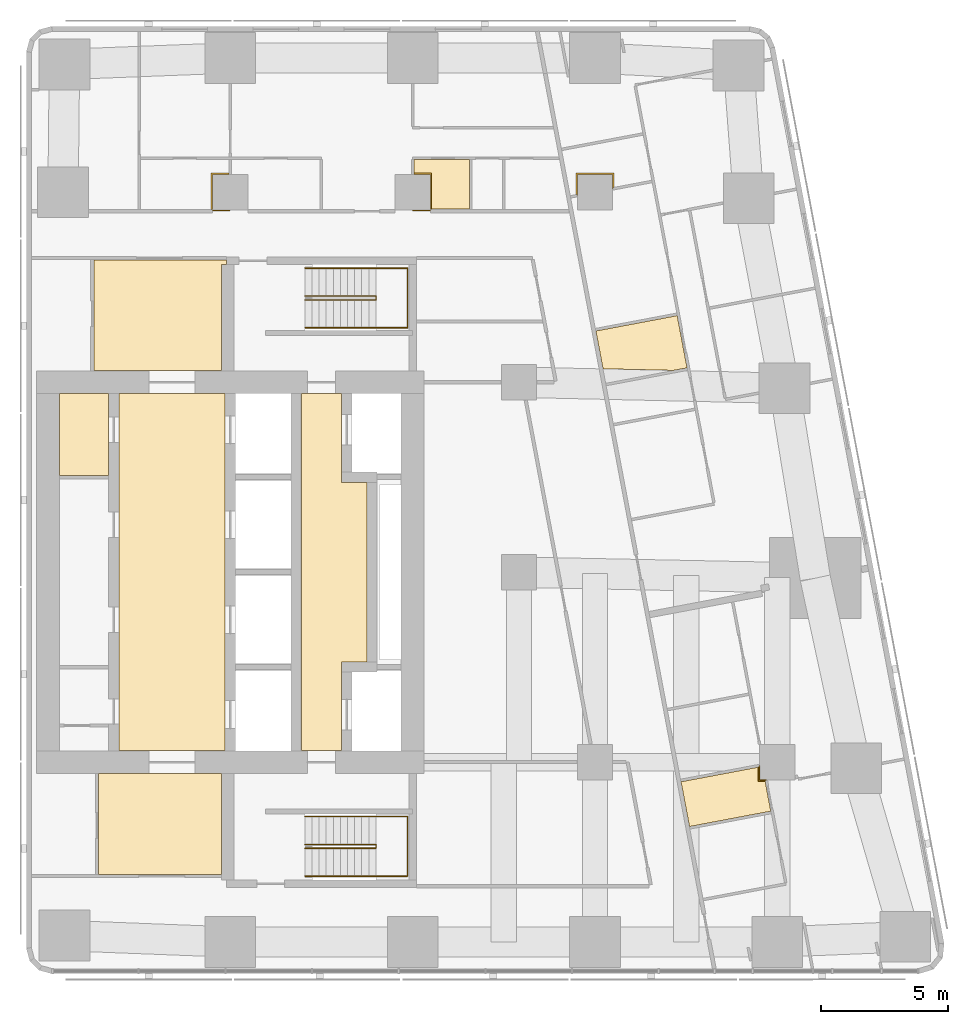
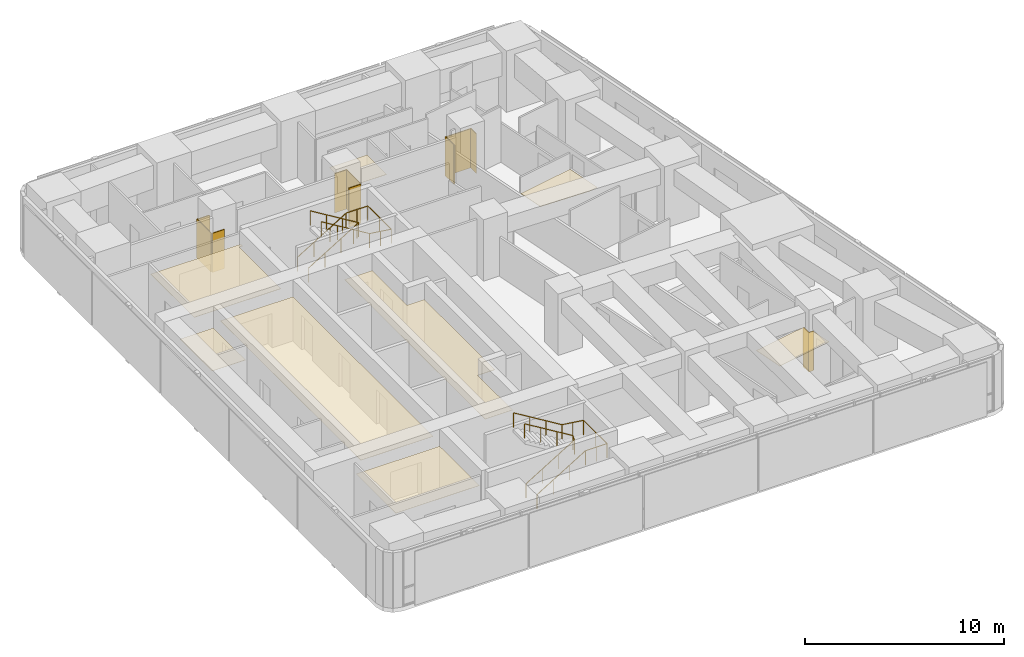
# One storey, part 10 of 10: 12 coverings, 4 railings.
"""IFC4 building model written with IfcOpenShell, lengths in metres."""

import ifcopenshell
import ifcopenshell.guid

model = None  # the IFC model being written
_history = None  # IfcOwnerHistory: only IFC2X3 demands one
_inside = {}  # id of a spatial element -> (the spatial element, [elements in it])
_under = {}  # id of a project, library or spatial element -> (it, [spatial elements below it])
_declared = {}  # id of a project -> (the project, [libraries it declares])
_typed = {}  # id of a type object -> (the type object, [elements of that type])
_made_of = {}  # id of a material, layer set ... -> (it, [elements and type objects made of it])


def new_model(schema):
    """Start an empty IFC model of exactly this schema.

    Asked for "IFC4X3", IfcOpenShell would pick the latest addendum, in which some entities
    have other attributes; the version numbers below select the first issue.
    IFC2X3 requires an IfcOwnerHistory on every rooted entity: one is made here for all.
    """
    global model, _history
    if schema == "IFC4X3":
        model = ifcopenshell.file(schema_version=(4, 3, 0, 0))
    else:
        model = ifcopenshell.file(schema=schema)
    _inside.clear()
    _under.clear()
    _declared.clear()
    _typed.clear()
    _made_of.clear()
    _history = None
    if model.schema == "IFC2X3":
        org = make("IfcOrganization", Name="unknown")
        user = make(
            "IfcPersonAndOrganization",
            ThePerson=make("IfcPerson", FamilyName="unknown"),
            TheOrganization=org,
        )
        app = make(
            "IfcApplication",
            ApplicationDeveloper=org,
            Version="unknown",
            ApplicationFullName="unknown",
            ApplicationIdentifier="unknown",
        )
        _history = make(
            "IfcOwnerHistory",
            OwningUser=user,
            OwningApplication=app,
            ChangeAction="ADDED",
            CreationDate=0,
        )
    return model


def make(cls, **values):
    """One entity of the class cls with the attributes given. An attribute that is None is left unset."""
    return model.create_entity(
        cls, **{name: value for name, value in values.items() if value is not None}
    )


def rooted(cls, **values):
    """An entity with a GlobalId (a new one), such as an element, a storey or a relation."""
    return make(cls, GlobalId=ifcopenshell.guid.new(), OwnerHistory=_history, **values)


def si_unit(unit_type, name, prefix=None):
    """IfcSIUnit, for example si_unit("LENGTHUNIT", "METRE", prefix="MILLI")."""
    return make("IfcSIUnit", UnitType=unit_type, Prefix=prefix, Name=name)


def assignment(units):
    """IfcUnitAssignment: the units of a project."""
    return None if units is None else make("IfcUnitAssignment", Units=units)


def point(xyz):
    """IfcCartesianPoint."""
    return None if xyz is None else make("IfcCartesianPoint", Coordinates=xyz)


def direction(xyz):
    """IfcDirection."""
    return None if xyz is None else make("IfcDirection", DirectionRatios=xyz)


def frame(location, z_axis=None, x_axis=None):
    """IfcAxis2Placement3D, a coordinate frame: its origin and axes. An axis left out is left unset."""
    return make(
        "IfcAxis2Placement3D",
        Location=point(location),
        Axis=direction(z_axis),
        RefDirection=direction(x_axis),
    )


def frame_2d(location, x_axis=None):
    """IfcAxis2Placement2D, a coordinate frame in the plane: its origin and x axis."""
    return make(
        "IfcAxis2Placement2D", Location=point(location), RefDirection=direction(x_axis)
    )


def origin():
    """The frame at (0, 0, 0) with its axes left unset."""
    return frame((0.0, 0.0, 0.0))


def origin_2d():
    """The frame at (0, 0) in the plane with its x axis left unset."""
    return frame_2d((0.0, 0.0))


def place(relative_to, where):
    """IfcLocalPlacement: puts the frame where relative to a parent placement (None: the world)."""
    return make(
        "IfcLocalPlacement", PlacementRelTo=relative_to, RelativePlacement=where
    )


def context(
    kind, dimensions, precision=None, world=None, true_north=None, identifier=None
):
    """IfcGeometricRepresentationContext, for example the 3D "Model" context."""
    return make(
        "IfcGeometricRepresentationContext",
        ContextIdentifier=identifier,
        ContextType=kind,
        CoordinateSpaceDimension=dimensions,
        Precision=precision,
        WorldCoordinateSystem=world,
        TrueNorth=true_north,
    )


def subcontext(parent, identifier, kind, view, scale=None):
    """IfcGeometricRepresentationSubContext, for example "Body" below "Model"."""
    return make(
        "IfcGeometricRepresentationSubContext",
        ContextIdentifier=identifier,
        ContextType=kind,
        ParentContext=parent,
        TargetScale=scale,
        TargetView=view,
    )


def project(units=None, contexts=None):
    """IfcProject with its units and contexts."""
    return rooted(
        "IfcProject",
        Name="project",
        RepresentationContexts=contexts,
        UnitsInContext=assignment(units),
    )


def spatial(cls, under=None, at=None, **own):
    """A site, building, storey or space (cls), placed at a placement, below another one or the project."""
    s = rooted(cls, ObjectPlacement=at, **own)
    if under is not None:
        _under.setdefault(under.id(), (under, []))[1].append(s)
    return s


def polyline(points):
    """IfcPolyline through the points."""
    return make("IfcPolyline", Points=[point(p) for p in points])


def profile(cls, at=None, kind="AREA", **sizes):
    """A parametric profile (cls). Its sizes go by their IFC names, for example OverallWidth=200.0."""
    return make(cls, ProfileType=kind, Position=at, **sizes)


def circle(**sizes):
    """IfcCircleProfileDef."""
    return profile("IfcCircleProfileDef", **sizes)


def outline(outer, holes=None, kind="AREA"):
    """IfcArbitraryClosedProfileDef: a profile drawn as a closed curve; with holes, ...WithVoids."""
    if holes is None:
        return make("IfcArbitraryClosedProfileDef", ProfileType=kind, OuterCurve=outer)
    return make(
        "IfcArbitraryProfileDefWithVoids",
        ProfileType=kind,
        OuterCurve=outer,
        InnerCurves=holes,
    )


def extrude(swept, where, along, depth):
    """IfcExtrudedAreaSolid: the profile swept, set in the frame where, extruded along a direction by depth."""
    return make(
        "IfcExtrudedAreaSolid",
        SweptArea=swept,
        Position=where,
        ExtrudedDirection=direction(along),
        Depth=depth,
    )


def shape(context_of_items, identifier, shape_type, items):
    """IfcShapeRepresentation: the items that make up one representation, for example the "Body"."""
    return make(
        "IfcShapeRepresentation",
        ContextOfItems=context_of_items,
        RepresentationIdentifier=identifier,
        RepresentationType=shape_type,
        Items=items,
    )


def material(Name=None, Category=None):
    """IfcMaterial."""
    return make("IfcMaterial", Name=Name, Category=Category)


def layer(
    of_material, thickness, ventilated=None, Name=None, Category=None, Priority=None
):
    """IfcMaterialLayer: one layer of a wall or slab, of a material (None: an air gap)."""
    return make(
        "IfcMaterialLayer",
        Material=of_material,
        LayerThickness=thickness,
        IsVentilated=ventilated,
        Name=Name,
        Category=Category,
        Priority=Priority,
    )


def layer_set(layers, Name=None):
    """IfcMaterialLayerSet."""
    return make("IfcMaterialLayerSet", MaterialLayers=layers, LayerSetName=Name)


def made_of(thing, what):
    """Note that an element or type object is made of a material, layer set ...; save() writes the relation."""
    if what is not None:
        _made_of.setdefault(what.id(), (what, []))[1].append(thing)
    return thing


def type_object(cls, material=None, **own):
    """A type object (cls), such as IfcWallType, which elements share."""
    return made_of(rooted(cls, **own), material)


def element(
    cls,
    number,
    at=None,
    inside=None,
    cuts=None,
    type_object=None,
    material=None,
    context=None,
    identifier="Body",
    shape_type=None,
    held_by="IfcProductDefinitionShape",
    body=None,
    shapes=None,
    **own,
):
    """One element of the class cls, such as IfcWall. Its Tag is "e" and its number.

    at: its placement. inside: the storey or other place that contains it. cuts: it is an
    opening in that element (IfcRelVoidsElement). A single representation is given by context,
    identifier, shape_type and body (its items); several are given by shapes. held_by: the class
    of the entity that holds the representations. save() writes the other relations.
    """
    e = rooted(cls, Tag="e%d" % number, ObjectPlacement=at, **own)
    if body is not None:
        shapes = [shape(context, identifier, shape_type, body)]
    if shapes is not None:
        e.Representation = make(held_by, Representations=shapes)
    if inside is not None:
        _inside.setdefault(inside.id(), (inside, []))[1].append(e)
    if cuts is not None:
        rooted(
            "IfcRelVoidsElement", RelatingBuildingElement=cuts, RelatedOpeningElement=e
        )
    if type_object is not None:
        _typed.setdefault(type_object.id(), (type_object, []))[1].append(e)
    return made_of(e, material)


def aggregate(whole, parts):
    """IfcRelAggregates: a whole, such as a stair, and the parts it consists of."""
    return rooted("IfcRelAggregates", RelatingObject=whole, RelatedObjects=parts)


def save(model, path):
    """Write the relations noted so far, then the file.

    IfcRelAggregates (storeys below a building ...), IfcRelContainedInSpatialStructure (elements
    in a storey), IfcRelDefinesByType, IfcRelAssociatesMaterial and IfcRelDeclares: one each for
    every whole, place, type object, material and project.
    """
    for whole, parts in _under.values():
        aggregate(whole, parts)
    for where, things in _inside.values():
        rooted(
            "IfcRelContainedInSpatialStructure",
            RelatedElements=things,
            RelatingStructure=where,
        )
    for kind, things in _typed.values():
        rooted("IfcRelDefinesByType", RelatedObjects=things, RelatingType=kind)
    for what, things in _made_of.values():
        rooted("IfcRelAssociatesMaterial", RelatedObjects=things, RelatingMaterial=what)
    for by, libraries in _declared.values():
        rooted("IfcRelDeclares", RelatingContext=by, RelatedDefinitions=libraries)
    model.write(path)


model = new_model("IFC4")

# Units and contexts
model_context = context("Model", 3, precision=1e-05, world=origin(), true_north=direction((0.0, 1.0)))
body_context = subcontext(model_context, "Body", "Model", "MODEL_VIEW")
ifc_project = project(units=[si_unit("LENGTHUNIT", "METRE"), si_unit("AREAUNIT", "SQUARE_METRE"), si_unit("VOLUMEUNIT", "CUBIC_METRE"), si_unit("PLANEANGLEUNIT", "RADIAN"), si_unit("MASSUNIT", "GRAM", prefix="KILO")], contexts=[model_context])

# Site, building, storey
site_placement = place(None, origin())
site = spatial("IfcSite", under=ifc_project, at=site_placement, CompositionType="ELEMENT")
building_placement = place(site_placement, origin())
building = spatial("IfcBuilding", under=site, at=building_placement, Name="Sheger Commons Tower", CompositionType="ELEMENT")
storey_placement = place(building_placement, frame((0.0, 0.0, 292.85009765625)))
storey = spatial("IfcBuildingStorey", under=building, at=storey_placement, Name="L75", CompositionType="ELEMENT", Elevation=292.85009765625)

# Railings
ifc_material_1 = material(Name="Steel handrail, black powder-coated", Category="steel")
railing_type = type_object("IfcRailingType", Name="HANDRAIL 900", PredefinedType="HANDRAIL", material=ifc_material_1)
railing_1_placement = place(storey_placement, frame((24.550048828125, 11.60009765625, 0.17041015625)))
element("IfcRailing", 1, at=railing_1_placement, inside=storey, type_object=railing_type, Name="Stair S1 handrail L75", PredefinedType="HANDRAIL", context=body_context, shape_type="SweptSolid", body=[
    extrude(circle(Radius=0.02392578125, at=origin_2d()), frame((0.0, 0.0, 0.8759765625), z_axis=(0.854169791009, 0.0, 0.51999420009), x_axis=(0.0, 1.0, 0.0)), (0.0, 0.0, 1.0), 3.278076171875),
    extrude(circle(Radius=0.02392578125, at=origin_2d()), frame((2.800048828125, 0.0, 2.58056640625), z_axis=(0.0, 0.660482385973, 0.750841539754), x_axis=(-1.0, 0.0, 0.0)), (0.0, 0.0, 1.0), 0.22705078125),
    extrude(circle(Radius=0.02392578125, at=origin_2d()), frame((2.800048828125, 0.14990234375, 2.7509765625), z_axis=(-0.854169791009, 0.0, 0.51999420009), x_axis=(0.0, -1.0, 0.0)), (0.0, 0.0, 1.0), 3.278076171875),
    extrude(circle(Radius=0.02099609375, at=origin_2d()), origin(), (0.0, 0.0, 1.0), 0.851806640625),
    extrude(circle(Radius=0.02099609375, at=origin_2d()), frame((0.933349609375, 0.0, 0.568115234375)), (0.0, 0.0, 1.0), 0.851806640625),
    extrude(circle(Radius=0.02099609375, at=origin_2d()), frame((1.86669921875, 0.0, 1.136474609375)), (0.0, 0.0, 1.0), 0.851806640625),
    extrude(circle(Radius=0.02099609375, at=origin_2d()), frame((2.800048828125, 0.0, 1.70458984375)), (0.0, 0.0, 1.0), 0.851806640625),
    extrude(circle(Radius=0.02099609375, at=origin_2d()), frame((2.800048828125, 0.14990234375, 1.875)), (0.0, 0.0, 1.0), 0.851806640625),
    extrude(circle(Radius=0.02099609375, at=origin_2d()), frame((1.86669921875, 0.14990234375, 2.443115234375)), (0.0, 0.0, 1.0), 0.851806640625),
    extrude(circle(Radius=0.02099609375, at=origin_2d()), frame((0.933349609375, 0.14990234375, 3.011474609375)), (0.0, 0.0, 1.0), 0.851806640625),
    extrude(circle(Radius=0.02099609375, at=origin_2d()), frame((0.0, 0.14990234375, 3.57958984375)), (0.0, 0.0, 1.0), 0.851806640625),
])
railing_2_placement = place(storey_placement, frame((24.550048828125, 10.5, 0.17041015625)))
element("IfcRailing", 2, at=railing_2_placement, inside=storey, type_object=railing_type, Name="Stair S1 handrail L75", PredefinedType="HANDRAIL", context=body_context, shape_type="SweptSolid", body=[
    extrude(circle(Radius=0.02392578125, at=origin_2d()), frame((0.0, 0.0, 0.8759765625), z_axis=(0.854169791009, 0.0, 0.51999420009), x_axis=(0.0, 1.0, 0.0)), (0.0, 0.0, 1.0), 3.278076171875),
    extrude(circle(Radius=0.02392578125, at=origin_2d()), frame((2.800048828125, 0.0, 2.58056640625), z_axis=(1.0, 0.0, 0.0), x_axis=(0.0, 1.0, 0.0)), (0.0, 0.0, 1.0), 1.25),
    extrude(circle(Radius=0.02392578125, at=origin_2d()), frame((4.050048828125, 0.0, 2.58056640625), z_axis=(0.0, 1.0, 0.0), x_axis=(-1.0, 0.0, 0.0)), (0.0, 0.0, 1.0), 2.35009765625),
    extrude(circle(Radius=0.02392578125, at=origin_2d()), frame((4.050048828125, 2.35009765625, 2.58056640625), z_axis=(-0.990834877927, 0.0, 0.135078661092), x_axis=(0.0, -1.0, 0.0)), (0.0, 0.0, 1.0), 1.261474609375),
    extrude(circle(Radius=0.02392578125, at=origin_2d()), frame((2.800048828125, 2.35009765625, 2.7509765625), z_axis=(-0.854169791009, 0.0, 0.51999420009), x_axis=(0.0, -1.0, 0.0)), (0.0, 0.0, 1.0), 3.278076171875),
    extrude(circle(Radius=0.02099609375, at=origin_2d()), origin(), (0.0, 0.0, 1.0), 0.851806640625),
    extrude(circle(Radius=0.02099609375, at=origin_2d()), frame((0.933349609375, 0.0, 0.568115234375)), (0.0, 0.0, 1.0), 0.851806640625),
    extrude(circle(Radius=0.02099609375, at=origin_2d()), frame((1.86669921875, 0.0, 1.136474609375)), (0.0, 0.0, 1.0), 0.851806640625),
    extrude(circle(Radius=0.02099609375, at=origin_2d()), frame((2.800048828125, 0.0, 1.70458984375)), (0.0, 0.0, 1.0), 0.851806640625),
    extrude(circle(Radius=0.02099609375, at=origin_2d()), frame((3.425048828125, 0.0, 1.70458984375)), (0.0, 0.0, 1.0), 0.851806640625),
    extrude(circle(Radius=0.02099609375, at=origin_2d()), frame((4.050048828125, 0.0, 1.70458984375)), (0.0, 0.0, 1.0), 0.851806640625),
    extrude(circle(Radius=0.02099609375, at=origin_2d()), frame((4.050048828125, 1.175048828125, 1.70458984375)), (0.0, 0.0, 1.0), 0.851806640625),
    extrude(circle(Radius=0.02099609375, at=origin_2d()), frame((4.050048828125, 2.35009765625, 1.70458984375)), (0.0, 0.0, 1.0), 0.851806640625),
    extrude(circle(Radius=0.02099609375, at=origin_2d()), frame((3.425048828125, 2.35009765625, 1.789794921875)), (0.0, 0.0, 1.0), 0.851806640625),
    extrude(circle(Radius=0.02099609375, at=origin_2d()), frame((2.800048828125, 2.35009765625, 1.875)), (0.0, 0.0, 1.0), 0.851806640625),
    extrude(circle(Radius=0.02099609375, at=origin_2d()), frame((1.86669921875, 2.35009765625, 2.443115234375)), (0.0, 0.0, 1.0), 0.851806640625),
    extrude(circle(Radius=0.02099609375, at=origin_2d()), frame((0.933349609375, 2.35009765625, 3.011474609375)), (0.0, 0.0, 1.0), 0.851806640625),
    extrude(circle(Radius=0.02099609375, at=origin_2d()), frame((0.0, 2.35009765625, 3.57958984375)), (0.0, 0.0, 1.0), 0.851806640625),
])
railing_3_placement = place(storey_placement, frame((24.550048828125, 33.39990234375, 0.17041015625)))
element("IfcRailing", 3, at=railing_3_placement, inside=storey, type_object=railing_type, Name="Stair S2 handrail L75", PredefinedType="HANDRAIL", context=body_context, shape_type="SweptSolid", body=[
    extrude(circle(Radius=0.02392578125, at=origin_2d()), frame((0.0, 0.0, 0.8759765625), z_axis=(0.854169791009, 0.0, 0.51999420009), x_axis=(0.0, 1.0, 0.0)), (0.0, 0.0, 1.0), 3.278076171875),
    extrude(circle(Radius=0.02392578125, at=origin_2d()), frame((2.800048828125, 0.0, 2.58056640625), z_axis=(0.0, -0.660482385973, 0.750841539754), x_axis=(1.0, 0.0, 0.0)), (0.0, 0.0, 1.0), 0.22705078125),
    extrude(circle(Radius=0.02392578125, at=origin_2d()), frame((2.800048828125, -0.14990234375, 2.7509765625), z_axis=(-0.854169791009, 0.0, 0.51999420009), x_axis=(0.0, -1.0, 0.0)), (0.0, 0.0, 1.0), 3.278076171875),
    extrude(circle(Radius=0.02099609375, at=origin_2d()), origin(), (0.0, 0.0, 1.0), 0.851806640625),
    extrude(circle(Radius=0.02099609375, at=origin_2d()), frame((0.933349609375, 0.0, 0.568115234375)), (0.0, 0.0, 1.0), 0.851806640625),
    extrude(circle(Radius=0.02099609375, at=origin_2d()), frame((1.86669921875, 0.0, 1.136474609375)), (0.0, 0.0, 1.0), 0.851806640625),
    extrude(circle(Radius=0.02099609375, at=origin_2d()), frame((2.800048828125, 0.0, 1.70458984375)), (0.0, 0.0, 1.0), 0.851806640625),
    extrude(circle(Radius=0.02099609375, at=origin_2d()), frame((2.800048828125, -0.14990234375, 1.875)), (0.0, 0.0, 1.0), 0.851806640625),
    extrude(circle(Radius=0.02099609375, at=origin_2d()), frame((1.86669921875, -0.14990234375, 2.443115234375)), (0.0, 0.0, 1.0), 0.851806640625),
    extrude(circle(Radius=0.02099609375, at=origin_2d()), frame((0.933349609375, -0.14990234375, 3.011474609375)), (0.0, 0.0, 1.0), 0.851806640625),
    extrude(circle(Radius=0.02099609375, at=origin_2d()), frame((0.0, -0.14990234375, 3.57958984375)), (0.0, 0.0, 1.0), 0.851806640625),
])
railing_4_placement = place(storey_placement, frame((24.550048828125, 34.5, 0.17041015625)))
element("IfcRailing", 4, at=railing_4_placement, inside=storey, type_object=railing_type, Name="Stair S2 handrail L75", PredefinedType="HANDRAIL", context=body_context, shape_type="SweptSolid", body=[
    extrude(circle(Radius=0.02392578125, at=origin_2d()), frame((0.0, 0.0, 0.8759765625), z_axis=(0.854169791009, 0.0, 0.51999420009), x_axis=(0.0, 1.0, 0.0)), (0.0, 0.0, 1.0), 3.278076171875),
    extrude(circle(Radius=0.02392578125, at=origin_2d()), frame((2.800048828125, 0.0, 2.58056640625), z_axis=(1.0, 0.0, 0.0), x_axis=(0.0, 1.0, 0.0)), (0.0, 0.0, 1.0), 1.25),
    extrude(circle(Radius=0.02392578125, at=origin_2d()), frame((4.050048828125, 0.0, 2.58056640625), z_axis=(0.0, -1.0, 0.0), x_axis=(1.0, 0.0, 0.0)), (0.0, 0.0, 1.0), 2.35009765625),
    extrude(circle(Radius=0.02392578125, at=origin_2d()), frame((4.050048828125, -2.35009765625, 2.58056640625), z_axis=(-0.990834877927, 0.0, 0.135078661092), x_axis=(0.0, -1.0, 0.0)), (0.0, 0.0, 1.0), 1.261474609375),
    extrude(circle(Radius=0.02392578125, at=origin_2d()), frame((2.800048828125, -2.35009765625, 2.7509765625), z_axis=(-0.854169791009, 0.0, 0.51999420009), x_axis=(0.0, -1.0, 0.0)), (0.0, 0.0, 1.0), 3.278076171875),
    extrude(circle(Radius=0.02099609375, at=origin_2d()), origin(), (0.0, 0.0, 1.0), 0.851806640625),
    extrude(circle(Radius=0.02099609375, at=origin_2d()), frame((0.933349609375, 0.0, 0.568115234375)), (0.0, 0.0, 1.0), 0.851806640625),
    extrude(circle(Radius=0.02099609375, at=origin_2d()), frame((1.86669921875, 0.0, 1.136474609375)), (0.0, 0.0, 1.0), 0.851806640625),
    extrude(circle(Radius=0.02099609375, at=origin_2d()), frame((2.800048828125, 0.0, 1.70458984375)), (0.0, 0.0, 1.0), 0.851806640625),
    extrude(circle(Radius=0.02099609375, at=origin_2d()), frame((3.425048828125, 0.0, 1.70458984375)), (0.0, 0.0, 1.0), 0.851806640625),
    extrude(circle(Radius=0.02099609375, at=origin_2d()), frame((4.050048828125, 0.0, 1.70458984375)), (0.0, 0.0, 1.0), 0.851806640625),
    extrude(circle(Radius=0.02099609375, at=origin_2d()), frame((4.050048828125, -1.175048828125, 1.70458984375)), (0.0, 0.0, 1.0), 0.851806640625),
    extrude(circle(Radius=0.02099609375, at=origin_2d()), frame((4.050048828125, -2.35009765625, 1.70458984375)), (0.0, 0.0, 1.0), 0.851806640625),
    extrude(circle(Radius=0.02099609375, at=origin_2d()), frame((3.425048828125, -2.35009765625, 1.789794921875)), (0.0, 0.0, 1.0), 0.851806640625),
    extrude(circle(Radius=0.02099609375, at=origin_2d()), frame((2.800048828125, -2.35009765625, 1.875)), (0.0, 0.0, 1.0), 0.851806640625),
    extrude(circle(Radius=0.02099609375, at=origin_2d()), frame((1.86669921875, -2.35009765625, 2.443115234375)), (0.0, 0.0, 1.0), 0.851806640625),
    extrude(circle(Radius=0.02099609375, at=origin_2d()), frame((0.933349609375, -2.35009765625, 3.011474609375)), (0.0, 0.0, 1.0), 0.851806640625),
    extrude(circle(Radius=0.02099609375, at=origin_2d()), frame((0.0, -2.35009765625, 3.57958984375)), (0.0, 0.0, 1.0), 0.851806640625),
])

# Coverings
ifc_material_2 = material(Name="Moisture-resistant gypsum plasterboard 15 mm on a suspended galvanised steel grid", Category="steel")
ifc_layer_1 = layer(ifc_material_2, 0.014892578125)
ifc_layer_set_1 = layer_set([ifc_layer_1], Name="MOISTURE-RESISTANT CEILING 15")
covering_type_1 = type_object("IfcCoveringType", Name="MOISTURE-RESISTANT CEILING 15", PredefinedType="CEILING", material=ifc_layer_set_1)
covering_1_placement = place(storey_placement, frame((0.0, 0.0, 2.39990234375)))
element("IfcCovering", 5, at=covering_1_placement, inside=storey, type_object=covering_type_1, Name="L75-01.B3 ceiling", PredefinedType="CEILING", context=body_context, shape_type="SweptSolid", body=[
    extrude(outline(polyline([(39.10009765625, 30.467041015625), (39.634033203125, 30.568115234375), (39.2451171875, 32.6279296875), (36.037109375, 32.02197265625), (36.319091796875, 30.530029296875), (39.10009765625, 30.467041015625)])), origin(), (0.0, 0.0, 1.0), 0.014892578125),
])
covering_2_placement = place(storey_placement, frame((0.0, 0.0, 2.39990234375)))
element("IfcCovering", 6, at=covering_2_placement, inside=storey, type_object=covering_type_1, Name="L75-02.B3 ceiling", PredefinedType="CEILING", context=body_context, shape_type="SweptSolid", body=[
    extrude(outline(polyline([(39.73193359375, 12.458984375), (42.93994140625, 13.06494140625), (42.7099609375, 14.284912109375), (42.7529296875, 14.29296875), (42.7529296875, 14.294921875), (42.4951171875, 14.294921875), (42.4951171875, 14.81103515625), (39.39794921875, 14.22607421875), (39.73193359375, 12.458984375)])), origin(), (0.0, 0.0, 1.0), 0.014892578125),
])
covering_3_placement = place(storey_placement, frame((0.0, 0.0, 2.39990234375)))
element("IfcCovering", 7, at=covering_3_placement, inside=storey, type_object=covering_type_1, Name="L75-03.B3 ceiling", PredefinedType="CEILING", context=body_context, shape_type="SweptSolid", body=[
    extrude(outline(polyline([(29.5048828125, 36.830078125), (31.044921875, 36.830078125), (31.044921875, 38.794921875), (28.85498046875, 38.794921875), (28.85498046875, 38.205078125), (29.5048828125, 38.205078125), (29.5048828125, 36.830078125)])), origin(), (0.0, 0.0, 1.0), 0.014892578125),
])
covering_4_placement = place(storey_placement, frame((0.0, 0.0, 2.39990234375)))
element("IfcCovering", 8, at=covering_4_placement, inside=storey, type_object=covering_type_1, Name="L75-CRB3 ceiling", PredefinedType="CEILING", context=body_context, shape_type="SweptSolid", body=[
    extrude(outline(polyline([(14.85498046875, 26.31689453125), (16.794921875, 26.31689453125), (16.794921875, 29.544921875), (14.85498046875, 29.544921875), (14.85498046875, 26.31689453125)])), origin(), (0.0, 0.0, 1.0), 0.014892578125),
])
ifc_material_3 = material(Name="Gypsum plasterboard 15 mm on a suspended steel grid", Category="steel")
ifc_layer_2 = layer(ifc_material_3, 0.014892578125)
ifc_layer_set_2 = layer_set([ifc_layer_2], Name="SUSPENDED CEILING 15")
covering_type_2 = type_object("IfcCoveringType", Name="SUSPENDED CEILING 15", PredefinedType="CEILING", material=ifc_layer_set_2)
covering_5_placement = place(storey_placement, frame((0.0, 0.0, 2.699951171875)))
element("IfcCovering", 9, at=covering_5_placement, inside=storey, type_object=covering_type_2, Name="L75-SVS1 ceiling", PredefinedType="CEILING", context=body_context, shape_type="SweptSolid", body=[
    extrude(outline(polyline([(16.406982421875, 10.568115234375), (21.2451171875, 10.568115234375), (21.2451171875, 14.544921875), (16.406982421875, 14.544921875), (16.406982421875, 10.568115234375)])), origin(), (0.0, 0.0, 1.0), 0.014892578125),
])
covering_6_placement = place(storey_placement, frame((0.0, 0.0, 2.699951171875)))
element("IfcCovering", 10, at=covering_6_placement, inside=storey, type_object=covering_type_2, Name="L75-SVN1 ceiling", PredefinedType="CEILING", context=body_context, shape_type="SweptSolid", body=[
    extrude(outline(polyline([(16.217041015625, 30.455078125), (21.2451171875, 30.455078125), (21.2451171875, 34.655029296875), (21.445068359375, 34.655029296875), (21.445068359375, 34.83203125), (16.217041015625, 34.83203125), (16.217041015625, 30.455078125)])), origin(), (0.0, 0.0, 1.0), 0.014892578125),
])
covering_7_placement = place(storey_placement, frame((0.0, 0.0, 2.699951171875)))
element("IfcCovering", 11, at=covering_7_placement, inside=storey, type_object=covering_type_2, Name="L75-LL ceiling", PredefinedType="CEILING", context=body_context, shape_type="SweptSolid", body=[
    extrude(outline(polyline([(17.205078125, 15.455078125), (21.39990234375, 15.455078125), (21.39990234375, 29.544921875), (17.205078125, 29.544921875), (17.205078125, 15.455078125)])), origin(), (0.0, 0.0, 1.0), 0.014892578125),
])
covering_8_placement = place(storey_placement, frame((0.0, 0.0, 2.699951171875)))
element("IfcCovering", 12, at=covering_8_placement, inside=storey, type_object=covering_type_2, Name="L75-FL ceiling", PredefinedType="CEILING", context=body_context, shape_type="SweptSolid", body=[
    extrude(outline(polyline([(24.405029296875, 15.455078125), (25.9951171875, 15.455078125), (25.9951171875, 18.955078125), (26.9951171875, 18.955078125), (26.9951171875, 26.044921875), (25.9951171875, 26.044921875), (25.9951171875, 29.544921875), (24.405029296875, 29.544921875), (24.405029296875, 15.455078125)])), origin(), (0.0, 0.0, 1.0), 0.014892578125),
])
ifc_material_4 = material(Name="Moisture-resistant gypsum board 12.5 mm on 25 mm treated timber battens, tanked and tiled", Category="wood")
ifc_layer_3 = layer(ifc_material_4, 0.050048828125)
ifc_layer_set_3 = layer_set([ifc_layer_3], Name="WET-ROOM COLUMN LINING")
covering_type_3 = type_object("IfcCoveringType", Name="WET-ROOM COLUMN LINING", PredefinedType="CLADDING", material=ifc_layer_set_3)
covering_9_placement = place(storey_placement, origin())
element("IfcCovering", 13, at=covering_9_placement, inside=storey, type_object=covering_type_3, Name="Bathroom column lining C11 L75", PredefinedType="CLADDING", context=body_context, shape_type="SweptSolid", body=[
    extrude(outline(polyline([(42.5, 14.866943359375), (42.5, 14.300048828125), (42.763916015625, 14.300048828125), (42.76611328125, 14.2900390625), (42.716064453125, 14.281005859375), (42.721923828125, 14.25), (42.449951171875, 14.25), (42.449951171875, 14.80810546875), (42.4990234375, 14.81689453125), (42.489990234375, 14.864990234375), (42.5, 14.866943359375)])), origin(), (0.0, 0.0, 1.0), 2.39990234375),
])
covering_10_placement = place(storey_placement, origin())
element("IfcCovering", 14, at=covering_10_placement, inside=storey, type_object=covering_type_3, Name="En-suite column lining C11 L75", PredefinedType="CLADDING", context=body_context, shape_type="SweptSolid", body=[
    extrude(outline(polyline([(21.550048828125, 38.25), (21.550048828125, 38.200927734375), (21.60009765625, 38.200927734375), (21.60009765625, 38.199951171875), (20.89990234375, 38.199951171875), (20.89990234375, 36.800048828125), (21.60009765625, 36.800048828125), (21.60009765625, 36.75), (20.89892578125, 36.75), (20.89892578125, 36.824951171875), (20.85009765625, 36.824951171875), (20.85009765625, 38.25), (21.550048828125, 38.25)])), origin(), (0.0, 0.0, 1.0), 2.39990234375),
])
covering_11_placement = place(storey_placement, origin())
element("IfcCovering", 15, at=covering_11_placement, inside=storey, type_object=covering_type_3, Name="Bathroom column lining C11 L75", PredefinedType="CLADDING", context=body_context, shape_type="SweptSolid", body=[
    extrude(outline(polyline([(29.550048828125, 36.824951171875), (29.5009765625, 36.824951171875), (29.5009765625, 36.75), (28.800048828125, 36.75), (28.800048828125, 36.800048828125), (29.5, 36.800048828125), (29.5, 38.199951171875), (28.800048828125, 38.199951171875), (28.800048828125, 38.200927734375), (28.85009765625, 38.200927734375), (28.85009765625, 38.25), (29.550048828125, 38.25), (29.550048828125, 36.824951171875)])), origin(), (0.0, 0.0, 1.0), 2.39990234375),
])
covering_12_placement = place(storey_placement, origin())
element("IfcCovering", 16, at=covering_12_placement, inside=storey, type_object=covering_type_3, Name="En-suite column lining C11 L75", PredefinedType="CLADDING", context=body_context, shape_type="SweptSolid", body=[
    extrude(outline(polyline([(36.75, 38.25), (36.75, 37.69189453125), (36.700927734375, 37.68310546875), (36.7099609375, 37.635009765625), (36.699951171875, 37.633056640625), (36.699951171875, 38.199951171875), (35.300048828125, 38.199951171875), (35.300048828125, 37.367919921875), (35.2900390625, 37.365966796875), (35.281005859375, 37.4150390625), (35.25, 37.408935546875), (35.25, 38.25), (36.75, 38.25)])), origin(), (0.0, 0.0, 1.0), 2.39990234375),
])

save(model, "model.ifc")
